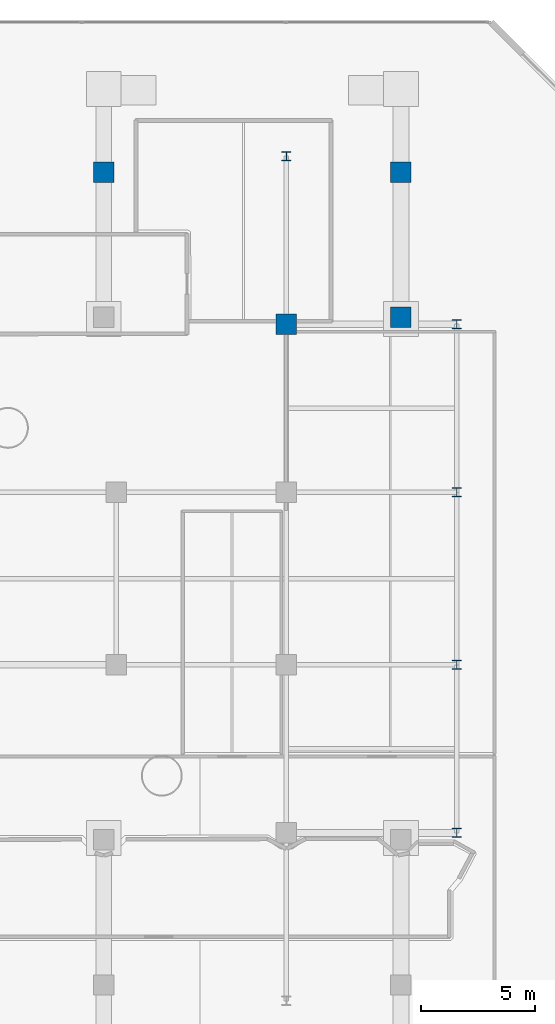
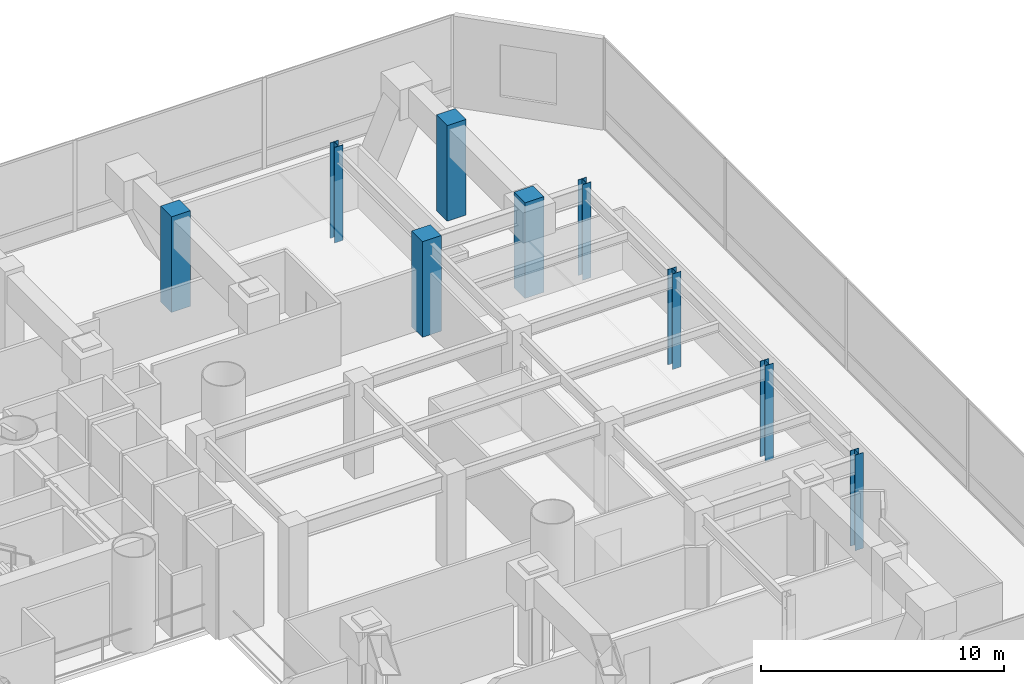
# One storey, part 4 of 45: 9 columns.
"""IFC4 building model written with IfcOpenShell, lengths in metres."""

from ifc_helpers import new_model, si_unit, direction, frame, origin, origin_2d, place, context, subcontext, project, spatial, rectangle, i_section, extrude, material, material_profile, profile_set, type_object, element, save


model = new_model("IFC4")

# Units and contexts
model_context = context("Model", 3, precision=1e-05, world=origin(), true_north=direction((0.0, 1.0)))
body_context = subcontext(model_context, "Body", "Model", "MODEL_VIEW")
ifc_project = project(units=[si_unit("LENGTHUNIT", "METRE"), si_unit("AREAUNIT", "SQUARE_METRE"), si_unit("VOLUMEUNIT", "CUBIC_METRE"), si_unit("PLANEANGLEUNIT", "RADIAN"), si_unit("MASSUNIT", "GRAM", prefix="KILO")], contexts=[model_context])

# Site, building, storey
site_placement = place(None, origin())
site = spatial("IfcSite", under=ifc_project, at=site_placement, CompositionType="ELEMENT")
building_placement = place(site_placement, origin())
building = spatial("IfcBuilding", under=site, at=building_placement, Name="Qianvela Tower", CompositionType="ELEMENT")
storey_placement = place(building_placement, frame((0.0, 0.0, 11.0)))
storey = spatial("IfcBuildingStorey", under=building, at=storey_placement, Name="L02", CompositionType="ELEMENT", Elevation=11.0)

# Columns
ifc_material_1 = material(Name="Steel Q355B", Category="steel")
ifc_material_profile_1 = material_profile(ifc_material_1, i_section(OverallWidth=0.39990234375, OverallDepth=0.39990234375, WebThickness=0.012939453125, FlangeThickness=0.02099609375, at=origin_2d()), Name="HW400x400x13x21")
ifc_profile_set_1 = profile_set([ifc_material_profile_1], Name="Steel Q355B")
column_type_1 = type_object("IfcColumnType", Name="COL-HW-400", PredefinedType="COLUMN", material=ifc_profile_set_1)
for number, where, z_axis, x_axis, name in (
    (1, (60.0, 44.60009765625, 0.0), (0.0, 0.0, 1.0), (1.0, 0.0, 0.0), "L02 Podium Grid Column P43"),
    (2, (67.5, 14.800048828125, 0.0), (0.0, 0.0, 1.0), (1.0, 0.0, 0.0), "L02 Podium Grid Column P44"),
    (3, (67.5, 22.199951171875, 0.0), (0.0, 0.0, 1.0), (1.0, 0.0, 0.0), "L02 Podium Grid Column P45"),
    (4, (67.5, 29.800048828125, 0.0), (0.0, 0.0, 1.0), (1.0, 0.0, 0.0), "L02 Podium Grid Column P46"),
    (5, (67.5, 37.199951171875, 0.0), (0.0, 0.0, 1.0), (1.0, 0.0, 0.0), "L02 Podium Grid Column P47"),
):
    element("IfcColumn", number, at=place(storey_placement, frame(where, z_axis=z_axis, x_axis=x_axis)), inside=storey, type_object=column_type_1, Name=name, PredefinedType="COLUMN", context=body_context, shape_type="SweptSolid", body=[
        extrude(i_section(OverallWidth=0.39990234375, OverallDepth=0.39990234375, WebThickness=0.012939453125, FlangeThickness=0.02099609375, at=origin_2d()), origin(), (0.0, 0.0, 1.0), 4.800048828125),
    ])
ifc_material_2 = material(Name="Concrete C60", Category="concrete")
ifc_material_profile_2 = material_profile(ifc_material_2, rectangle(XDim=0.89990234375, YDim=0.89990234375, at=origin_2d()), Name="RC-COL-900x900")
ifc_profile_set_2 = profile_set([ifc_material_profile_2], Name="Concrete C60")
column_type_2 = type_object("IfcColumnType", Name="COL-RC-900", PredefinedType="COLUMN", material=ifc_profile_set_2)
for number, where, z_axis, x_axis, name in (
    (6, (51.955322265625, 43.89990234375, 0.0), (0.0, 0.0, 1.0), (1.0, 0.0, 0.0), "L02 Concourse Colonnade Column VC-N3-L-B1"),
    (7, (65.044677734375, 43.89990234375, 0.0), (0.0, 0.0, 1.0), (1.0, 0.0, 0.0), "L02 Concourse Colonnade Column VC-N3-R-B1"),
    (8, (65.044677734375, 37.5, 0.0), (0.0, 0.0, 1.0), (1.0, 0.0, 0.0), "L02 Concourse Colonnade Column VC-N3-R-B2"),
    (9, (60.0, 37.199951171875, 0.0), (0.0, 0.0, 1.0), (1.0, 0.0, 0.0), "L02 Podium Grid Column P42"),
):
    element("IfcColumn", number, at=place(storey_placement, frame(where, z_axis=z_axis, x_axis=x_axis)), inside=storey, type_object=column_type_2, Name=name, PredefinedType="COLUMN", context=body_context, shape_type="SweptSolid", body=[
        extrude(rectangle(XDim=0.89990234375, YDim=0.89990234375, at=origin_2d()), origin(), (0.0, 0.0, 1.0), 4.800048828125),
    ])

save(model, "model.ifc")
